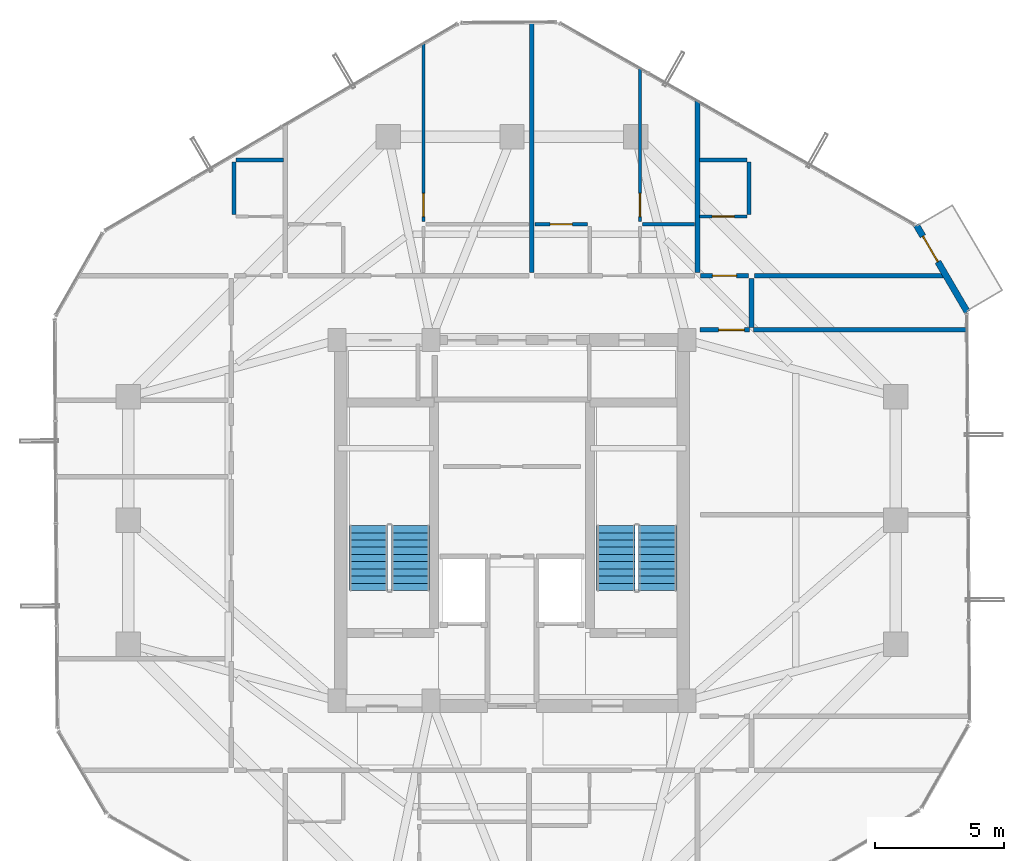
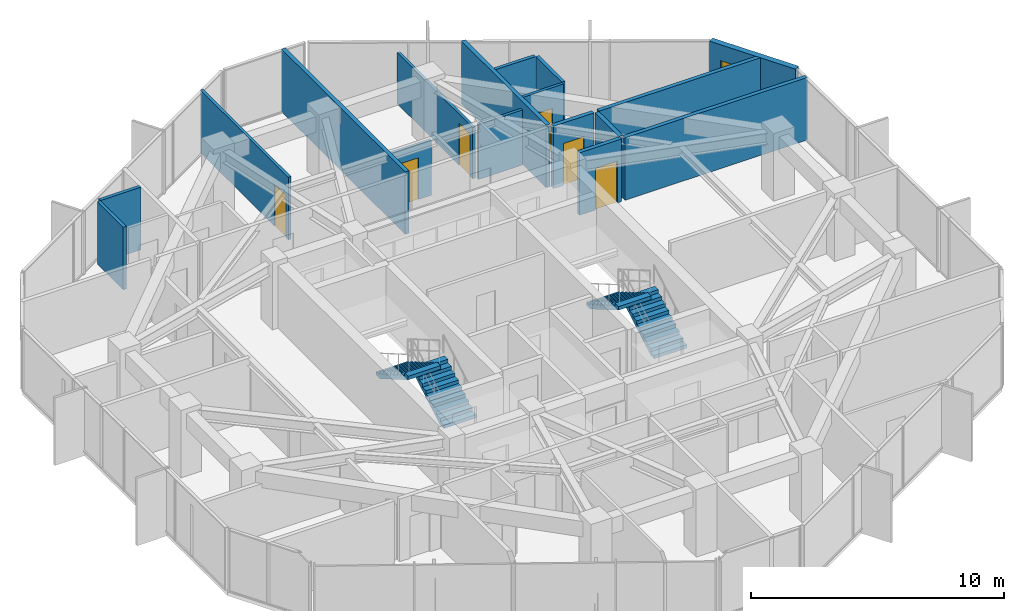
# One storey, part 29 of 31: 17 walls, 7 doors, 4 stair flights, 7 openings, 2 elements without a shape of their own.
"""IFC4 building model written with IfcOpenShell, lengths in metres."""

import ifcopenshell
import ifcopenshell.guid

model = None  # the IFC model being written
_history = None  # IfcOwnerHistory: only IFC2X3 demands one
_inside = {}  # id of a spatial element -> (the spatial element, [elements in it])
_under = {}  # id of a project, library or spatial element -> (it, [spatial elements below it])
_declared = {}  # id of a project -> (the project, [libraries it declares])
_typed = {}  # id of a type object -> (the type object, [elements of that type])
_made_of = {}  # id of a material, layer set ... -> (it, [elements and type objects made of it])


def new_model(schema):
    """Start an empty IFC model of exactly this schema.

    Asked for "IFC4X3", IfcOpenShell would pick the latest addendum, in which some entities
    have other attributes; the version numbers below select the first issue.
    IFC2X3 requires an IfcOwnerHistory on every rooted entity: one is made here for all.
    """
    global model, _history
    if schema == "IFC4X3":
        model = ifcopenshell.file(schema_version=(4, 3, 0, 0))
    else:
        model = ifcopenshell.file(schema=schema)
    _inside.clear()
    _under.clear()
    _declared.clear()
    _typed.clear()
    _made_of.clear()
    _history = None
    if model.schema == "IFC2X3":
        org = make("IfcOrganization", Name="unknown")
        user = make(
            "IfcPersonAndOrganization",
            ThePerson=make("IfcPerson", FamilyName="unknown"),
            TheOrganization=org,
        )
        app = make(
            "IfcApplication",
            ApplicationDeveloper=org,
            Version="unknown",
            ApplicationFullName="unknown",
            ApplicationIdentifier="unknown",
        )
        _history = make(
            "IfcOwnerHistory",
            OwningUser=user,
            OwningApplication=app,
            ChangeAction="ADDED",
            CreationDate=0,
        )
    return model


def make(cls, **values):
    """One entity of the class cls with the attributes given. An attribute that is None is left unset."""
    return model.create_entity(
        cls, **{name: value for name, value in values.items() if value is not None}
    )


def rooted(cls, **values):
    """An entity with a GlobalId (a new one), such as an element, a storey or a relation."""
    return make(cls, GlobalId=ifcopenshell.guid.new(), OwnerHistory=_history, **values)


def si_unit(unit_type, name, prefix=None):
    """IfcSIUnit, for example si_unit("LENGTHUNIT", "METRE", prefix="MILLI")."""
    return make("IfcSIUnit", UnitType=unit_type, Prefix=prefix, Name=name)


def assignment(units):
    """IfcUnitAssignment: the units of a project."""
    return None if units is None else make("IfcUnitAssignment", Units=units)


def point(xyz):
    """IfcCartesianPoint."""
    return None if xyz is None else make("IfcCartesianPoint", Coordinates=xyz)


def direction(xyz):
    """IfcDirection."""
    return None if xyz is None else make("IfcDirection", DirectionRatios=xyz)


def frame(location, z_axis=None, x_axis=None):
    """IfcAxis2Placement3D, a coordinate frame: its origin and axes. An axis left out is left unset."""
    return make(
        "IfcAxis2Placement3D",
        Location=point(location),
        Axis=direction(z_axis),
        RefDirection=direction(x_axis),
    )


def frame_2d(location, x_axis=None):
    """IfcAxis2Placement2D, a coordinate frame in the plane: its origin and x axis."""
    return make(
        "IfcAxis2Placement2D", Location=point(location), RefDirection=direction(x_axis)
    )


def origin():
    """The frame at (0, 0, 0) with its axes left unset."""
    return frame((0.0, 0.0, 0.0))


def place(relative_to, where):
    """IfcLocalPlacement: puts the frame where relative to a parent placement (None: the world)."""
    return make(
        "IfcLocalPlacement", PlacementRelTo=relative_to, RelativePlacement=where
    )


def context(
    kind, dimensions, precision=None, world=None, true_north=None, identifier=None
):
    """IfcGeometricRepresentationContext, for example the 3D "Model" context."""
    return make(
        "IfcGeometricRepresentationContext",
        ContextIdentifier=identifier,
        ContextType=kind,
        CoordinateSpaceDimension=dimensions,
        Precision=precision,
        WorldCoordinateSystem=world,
        TrueNorth=true_north,
    )


def subcontext(parent, identifier, kind, view, scale=None):
    """IfcGeometricRepresentationSubContext, for example "Body" below "Model"."""
    return make(
        "IfcGeometricRepresentationSubContext",
        ContextIdentifier=identifier,
        ContextType=kind,
        ParentContext=parent,
        TargetScale=scale,
        TargetView=view,
    )


def project(units=None, contexts=None):
    """IfcProject with its units and contexts."""
    return rooted(
        "IfcProject",
        Name="project",
        RepresentationContexts=contexts,
        UnitsInContext=assignment(units),
    )


def spatial(cls, under=None, at=None, **own):
    """A site, building, storey or space (cls), placed at a placement, below another one or the project."""
    s = rooted(cls, ObjectPlacement=at, **own)
    if under is not None:
        _under.setdefault(under.id(), (under, []))[1].append(s)
    return s


def polyline(points):
    """IfcPolyline through the points."""
    return make("IfcPolyline", Points=[point(p) for p in points])


def profile(cls, at=None, kind="AREA", **sizes):
    """A parametric profile (cls). Its sizes go by their IFC names, for example OverallWidth=200.0."""
    return make(cls, ProfileType=kind, Position=at, **sizes)


def rectangle(**sizes):
    """IfcRectangleProfileDef."""
    return profile("IfcRectangleProfileDef", **sizes)


def outline(outer, holes=None, kind="AREA"):
    """IfcArbitraryClosedProfileDef: a profile drawn as a closed curve; with holes, ...WithVoids."""
    if holes is None:
        return make("IfcArbitraryClosedProfileDef", ProfileType=kind, OuterCurve=outer)
    return make(
        "IfcArbitraryProfileDefWithVoids",
        ProfileType=kind,
        OuterCurve=outer,
        InnerCurves=holes,
    )


def extrude(swept, where, along, depth):
    """IfcExtrudedAreaSolid: the profile swept, set in the frame where, extruded along a direction by depth."""
    return make(
        "IfcExtrudedAreaSolid",
        SweptArea=swept,
        Position=where,
        ExtrudedDirection=direction(along),
        Depth=depth,
    )


def shape(context_of_items, identifier, shape_type, items):
    """IfcShapeRepresentation: the items that make up one representation, for example the "Body"."""
    return make(
        "IfcShapeRepresentation",
        ContextOfItems=context_of_items,
        RepresentationIdentifier=identifier,
        RepresentationType=shape_type,
        Items=items,
    )


def source(mapping_origin, context_of_items, identifier, shape_type, items):
    """IfcRepresentationMap: a shape defined once, which mapped items show again and again."""
    return make(
        "IfcRepresentationMap",
        MappingOrigin=mapping_origin,
        MappedRepresentation=shape(context_of_items, identifier, shape_type, items),
    )


def transform(
    local_origin,
    x_axis=None,
    y_axis=None,
    z_axis=None,
    scale=None,
    scale2=None,
    scale3=None,
    uniform=True,
):
    """IfcCartesianTransformationOperator3D, or its non-uniform kind. x_axis, y_axis, z_axis: its Axis1, 2, 3."""
    if uniform:
        return make(
            "IfcCartesianTransformationOperator3D",
            Axis1=direction(x_axis),
            Axis2=direction(y_axis),
            LocalOrigin=point(local_origin),
            Scale=scale,
            Axis3=direction(z_axis),
        )
    return make(
        "IfcCartesianTransformationOperator3DnonUniform",
        Axis1=direction(x_axis),
        Axis2=direction(y_axis),
        LocalOrigin=point(local_origin),
        Scale=scale,
        Axis3=direction(z_axis),
        Scale2=scale2,
        Scale3=scale3,
    )


def mapped(mapping_source, mapping_target):
    """IfcMappedItem: shows the shape of a source again, moved by a transform."""
    return make(
        "IfcMappedItem", MappingSource=mapping_source, MappingTarget=mapping_target
    )


def material(Name=None, Category=None):
    """IfcMaterial."""
    return make("IfcMaterial", Name=Name, Category=Category)


def layer(
    of_material, thickness, ventilated=None, Name=None, Category=None, Priority=None
):
    """IfcMaterialLayer: one layer of a wall or slab, of a material (None: an air gap)."""
    return make(
        "IfcMaterialLayer",
        Material=of_material,
        LayerThickness=thickness,
        IsVentilated=ventilated,
        Name=Name,
        Category=Category,
        Priority=Priority,
    )


def layer_set(layers, Name=None):
    """IfcMaterialLayerSet."""
    return make("IfcMaterialLayerSet", MaterialLayers=layers, LayerSetName=Name)


def made_of(thing, what):
    """Note that an element or type object is made of a material, layer set ...; save() writes the relation."""
    if what is not None:
        _made_of.setdefault(what.id(), (what, []))[1].append(thing)
    return thing


def type_object(cls, material=None, **own):
    """A type object (cls), such as IfcWallType, which elements share."""
    return made_of(rooted(cls, **own), material)


def element(
    cls,
    number,
    at=None,
    inside=None,
    cuts=None,
    type_object=None,
    material=None,
    context=None,
    identifier="Body",
    shape_type=None,
    held_by="IfcProductDefinitionShape",
    body=None,
    shapes=None,
    **own,
):
    """One element of the class cls, such as IfcWall. Its Tag is "e" and its number.

    at: its placement. inside: the storey or other place that contains it. cuts: it is an
    opening in that element (IfcRelVoidsElement). A single representation is given by context,
    identifier, shape_type and body (its items); several are given by shapes. held_by: the class
    of the entity that holds the representations. save() writes the other relations.
    """
    e = rooted(cls, Tag="e%d" % number, ObjectPlacement=at, **own)
    if body is not None:
        shapes = [shape(context, identifier, shape_type, body)]
    if shapes is not None:
        e.Representation = make(held_by, Representations=shapes)
    if inside is not None:
        _inside.setdefault(inside.id(), (inside, []))[1].append(e)
    if cuts is not None:
        rooted(
            "IfcRelVoidsElement", RelatingBuildingElement=cuts, RelatedOpeningElement=e
        )
    if type_object is not None:
        _typed.setdefault(type_object.id(), (type_object, []))[1].append(e)
    return made_of(e, material)


def fill(opening, filler):
    """IfcRelFillsElement: the door or window that sits in an opening."""
    return rooted(
        "IfcRelFillsElement",
        RelatingOpeningElement=opening,
        RelatedBuildingElement=filler,
    )


def aggregate(whole, parts):
    """IfcRelAggregates: a whole, such as a stair, and the parts it consists of."""
    return rooted("IfcRelAggregates", RelatingObject=whole, RelatedObjects=parts)


def save(model, path):
    """Write the relations noted so far, then the file.

    IfcRelAggregates (storeys below a building ...), IfcRelContainedInSpatialStructure (elements
    in a storey), IfcRelDefinesByType, IfcRelAssociatesMaterial and IfcRelDeclares: one each for
    every whole, place, type object, material and project.
    """
    for whole, parts in _under.values():
        aggregate(whole, parts)
    for where, things in _inside.values():
        rooted(
            "IfcRelContainedInSpatialStructure",
            RelatedElements=things,
            RelatingStructure=where,
        )
    for kind, things in _typed.values():
        rooted("IfcRelDefinesByType", RelatedObjects=things, RelatingType=kind)
    for what, things in _made_of.values():
        rooted("IfcRelAssociatesMaterial", RelatedObjects=things, RelatingMaterial=what)
    for by, libraries in _declared.values():
        rooted("IfcRelDeclares", RelatingContext=by, RelatedDefinitions=libraries)
    model.write(path)


model = new_model("IFC4")

# Units and contexts
model_context = context("Model", 3, precision=1e-05, world=origin(), true_north=direction((0.0, 1.0)))
body_context = subcontext(model_context, "Body", "Model", "MODEL_VIEW")
ifc_project = project(units=[si_unit("LENGTHUNIT", "METRE"), si_unit("AREAUNIT", "SQUARE_METRE"), si_unit("VOLUMEUNIT", "CUBIC_METRE"), si_unit("PLANEANGLEUNIT", "RADIAN"), si_unit("MASSUNIT", "GRAM", prefix="KILO")], contexts=[model_context])

# Site, building, storey
site_placement = place(None, origin())
site = spatial("IfcSite", under=ifc_project, at=site_placement, CompositionType="ELEMENT")
building_placement = place(site_placement, origin())
building = spatial("IfcBuilding", under=site, at=building_placement, Name="Veraguas Prism Commons", CompositionType="ELEMENT")
storey_placement = place(building_placement, frame((0.0, 0.0, 204.85009765625)))
storey = spatial("IfcBuildingStorey", under=building, at=storey_placement, Name="L58", CompositionType="ELEMENT", Elevation=204.85009765625)

# Walls
ifc_material_1 = material(Name="Autoclaved aerated masonry block 10 MPa", Category="masonry")
ifc_layer_1 = layer(ifc_material_1, 0.179931640625, Name="Corridor and Inter-Tenancy Partition 180", Category="masonry")
ifc_layer_set_1 = layer_set([ifc_layer_1], Name="Autoclaved aerated masonry block 10 MPa")
wall_type_1 = type_object("IfcWallType", Name="Corridor and Inter-Tenancy Partition 180", PredefinedType="PARTITIONING", material=ifc_layer_set_1)
wall_1_placement = place(storey_placement, frame((31.199951171875, 33.6201171875, 0.0), z_axis=(0.0, 0.0, 1.0), x_axis=(0.0, 1.0, 0.0)))
element("IfcWall", 1, at=wall_1_placement, inside=storey, type_object=wall_type_1, Name="WL-L58-PT014", PredefinedType="PARTITIONING", context=body_context, shape_type="SweptSolid", body=[
    extrude(rectangle(XDim=6.693359375, YDim=0.179931640625, at=frame_2d((3.3466796875, 0.0))), origin(), (0.0, 0.0, 1.0), 3.014892578125),
])
wall_2_placement = place(storey_placement, frame((24.77001953125, 33.6201171875, 0.0), z_axis=(0.0, 0.0, 1.0), x_axis=(0.0, 1.0, 0.0)))
element("IfcWall", 2, at=wall_2_placement, inside=storey, type_object=wall_type_1, Name="WL-L58-PT021", PredefinedType="PARTITIONING", context=body_context, shape_type="SweptSolid", body=[
    extrude(rectangle(XDim=9.758544921875, YDim=0.179931640625, at=frame_2d((4.87939453125, 0.0))), origin(), (0.0, 0.0, 1.0), 3.014892578125),
])
wall_3_placement = place(storey_placement, frame((33.300048828125, 31.5, 0.0), z_axis=(0.0, 0.0, 1.0), x_axis=(0.0, 1.0, 0.0)))
element("IfcWall", 3, at=wall_3_placement, inside=storey, type_object=wall_type_1, Name="WL-L58-PT039", PredefinedType="PARTITIONING", context=body_context, shape_type="SweptSolid", body=[
    extrude(rectangle(XDim=1.89990234375, YDim=0.179931640625, at=frame_2d((0.949951171875, 0.0))), origin(), (0.0, 0.0, 1.0), 3.014892578125),
])

# Wall, opening, door
wall_4_placement = place(storey_placement, frame((31.300048828125, 31.39990234375, 0.0), z_axis=(0.0, 0.0, 1.0), x_axis=(1.0, 0.0, 0.0)))
wall_4 = element("IfcWall", 4, at=wall_4_placement, inside=storey, type_object=wall_type_1, Name="WL-L58-PT042", PredefinedType="PARTITIONING", context=body_context, shape_type="SweptSolid", body=[
    extrude(rectangle(XDim=1.919921875, YDim=0.179931640625, at=frame_2d((0.9599609375, 0.0))), origin(), (0.0, 0.0, 1.0), 3.014892578125),
])
opening_1_placement = place(wall_4_placement, frame((0.719970703125, 0.0, 0.0)))
opening_1 = element("IfcOpeningElement", 5, at=opening_1_placement, cuts=wall_4, Name="Opening DR-13", PredefinedType="OPENING", context=body_context, shape_type="SweptSolid", body=[
    extrude(rectangle(XDim=1.0, YDim=2.010009765625, at=frame_2d((0.5, 1.0048828125))), frame((0.0, 0.099853515625, 0.0), z_axis=(0.0, -1.0, 0.0), x_axis=(1.0, 0.0, 0.0)), (0.0, 0.0, 1.0), 0.199951171875),
])
ifc_material_2 = material(Name="Steel fire-rated door assembly", Category="steel")
door_type_1 = type_object("IfcDoorType", Name="Core Accessible WC and Clinic Fire Door 1000x2010", OperationType="NOTDEFINED", PredefinedType="DOOR", material=ifc_material_2)
shared_shape_1 = source(origin(), body_context, "Body", "SweptSolid", [
    extrude(rectangle(XDim=1.0, YDim=2.010009765625, at=frame_2d((0.5, 1.0048828125))), frame((0.0, 0.02490234375, 0.0), z_axis=(0.0, -1.0, 0.0), x_axis=(1.0, 0.0, 0.0)), (0.0, 0.0, 1.0), 0.050048828125),
])
door_1_placement = place(opening_1_placement, origin())
door_1 = element("IfcDoor", 6, at=door_1_placement, inside=storey, type_object=door_type_1, Name="Study Salon Door L58", OperationType="SINGLE_SWING_LEFT", OverallHeight=2.010009765625, OverallWidth=1.0, PredefinedType="DOOR", context=body_context, shape_type="MappedRepresentation", body=[
    mapped(shared_shape_1, transform((0.0, 0.0, 0.0), scale=1.0)),
])
fill(opening_1, door_1)

# Walls
wall_5_placement = place(storey_placement, frame((33.3798828125, 31.39990234375, 0.0), z_axis=(0.0, 0.0, 1.0), x_axis=(1.0, 0.0, 0.0)))
element("IfcWall", 7, at=wall_5_placement, inside=storey, type_object=wall_type_1, Name="WL-L58-PT043", PredefinedType="PARTITIONING", context=body_context, shape_type="SweptSolid", body=[
    extrude(rectangle(XDim=8.3115234375, YDim=0.179931640625, at=frame_2d((4.15576171875, 0.0))), origin(), (0.0, 0.0, 1.0), 3.014892578125),
])
wall_6_placement = place(storey_placement, frame((33.419921875, 33.5, 0.0), z_axis=(0.0, 0.0, 1.0), x_axis=(1.0, 0.0, 0.0)))
element("IfcWall", 8, at=wall_6_placement, inside=storey, type_object=wall_type_1, Name="WL-L58-PT052", PredefinedType="PARTITIONING", context=body_context, shape_type="SweptSolid", body=[
    extrude(rectangle(XDim=7.467529296875, YDim=0.179931640625, at=frame_2d((3.73388671875, 0.0))), origin(), (0.0, 0.0, 1.0), 3.014892578125),
])

# Wall, opening, door
wall_7_placement = place(storey_placement, frame((31.320068359375, 33.5, 0.0), z_axis=(0.0, 0.0, 1.0), x_axis=(1.0, 0.0, 0.0)))
wall_7 = element("IfcWall", 9, at=wall_7_placement, inside=storey, type_object=wall_type_1, Name="WL-L58-PT053", PredefinedType="PARTITIONING", context=body_context, shape_type="SweptSolid", body=[
    extrude(rectangle(XDim=1.85986328125, YDim=0.179931640625, at=frame_2d((0.929931640625, 0.0))), origin(), (0.0, 0.0, 1.0), 3.014892578125),
])
opening_2_placement = place(wall_7_placement, frame((0.455078125, 0.0, 0.0)))
opening_2 = element("IfcOpeningElement", 10, at=opening_2_placement, cuts=wall_7, Name="Opening DR-01", PredefinedType="OPENING", context=body_context, shape_type="SweptSolid", body=[
    extrude(rectangle(XDim=0.949951171875, YDim=2.02001953125, at=frame_2d((0.47509765625, 1.010009765625))), frame((0.0, 0.099853515625, 0.0), z_axis=(0.0, -1.0, 0.0), x_axis=(1.0, 0.0, 0.0)), (0.0, 0.0, 1.0), 0.199951171875),
])
ifc_material_3 = material(Name="Anodised aluminium EN AW-6063 T6", Category="aluminium")
door_type_2 = type_object("IfcDoorType", Name="Apartment Entrance Fire Door 950x2020", OperationType="NOTDEFINED", PredefinedType="DOOR", material=ifc_material_3)
shared_shape_2 = source(origin(), body_context, "Body", "SweptSolid", [
    extrude(rectangle(XDim=0.949951171875, YDim=2.02001953125, at=frame_2d((0.47509765625, 1.010009765625))), frame((0.0, 0.02490234375, 0.0), z_axis=(0.0, -1.0, 0.0), x_axis=(1.0, 0.0, 0.0)), (0.0, 0.0, 1.0), 0.050048828125),
])
door_2_placement = place(opening_2_placement, origin())
door_2 = element("IfcDoor", 11, at=door_2_placement, inside=storey, type_object=door_type_2, Name="Studio 58F Entrance Door", OperationType="SINGLE_SWING_LEFT", OverallHeight=2.02001953125, OverallWidth=0.949951171875, PredefinedType="DOOR", context=body_context, shape_type="MappedRepresentation", body=[
    mapped(shared_shape_2, transform((0.0, 0.0, 0.0), scale=1.0)),
])
fill(opening_2, door_2)

ifc_material_4 = material(Name="Precast concrete C40/50", Category="concrete")
ifc_layer_2 = layer(ifc_material_4, 0.25, Name="External Loggia and Portal Wall 250", Category="concrete")
ifc_layer_set_2 = layer_set([ifc_layer_2], Name="Precast concrete C40/50")
wall_type_2 = type_object("IfcWallType", Name="External Loggia and Portal Wall 250", PredefinedType="SOLIDWALL", material=ifc_layer_set_2)
wall_8_placement = place(storey_placement, frame((41.677001953125, 32.093994140625, 0.0), z_axis=(0.0, 0.0, 1.0), x_axis=(-0.505746709818, 0.86268201877, 0.0)))
wall_8 = element("IfcWall", 12, at=wall_8_placement, inside=storey, type_object=wall_type_2, Name="Corner Loggia Wall L58-C1", PredefinedType="SOLIDWALL", context=body_context, shape_type="SweptSolid", body=[
    extrude(rectangle(XDim=3.91455078125, YDim=0.25, at=frame_2d((1.957275390625, 0.0))), origin(), (0.0, 0.0, 1.0), 3.014892578125),
])
opening_3_placement = place(wall_8_placement, frame((2.260009765625, 0.0, 0.0)))
opening_3 = element("IfcOpeningElement", 13, at=opening_3_placement, cuts=wall_8, Name="Opening DR-10", PredefinedType="OPENING", context=body_context, shape_type="SweptSolid", body=[
    extrude(rectangle(XDim=1.14990234375, YDim=2.25, at=frame_2d((0.574951171875, 1.125))), frame((0.0, 0.135009765625, 0.0), z_axis=(0.0, -1.0, 0.0), x_axis=(1.0, 0.0, 0.0)), (0.0, 0.0, 1.0), 0.27001953125),
])
door_type_3 = type_object("IfcDoorType", Name="Glazed Loggia and Terrace Door 1150x2250", OperationType="NOTDEFINED", PredefinedType="DOOR", material=ifc_material_3)
shared_shape_3 = source(origin(), body_context, "Body", "SweptSolid", [
    extrude(rectangle(XDim=1.14990234375, YDim=2.25, at=frame_2d((0.574951171875, 1.125))), frame((0.0, 0.02490234375, 0.0), z_axis=(0.0, -1.0, 0.0), x_axis=(1.0, 0.0, 0.0)), (0.0, 0.0, 1.0), 0.050048828125),
])
door_3_placement = place(opening_3_placement, frame((1.14990234375, 0.0, 0.0), z_axis=(0.0, 0.0, 1.0), x_axis=(-1.0, 0.0, 0.0)))
door_3 = element("IfcDoor", 14, at=door_3_placement, inside=storey, type_object=door_type_3, Name="Recessed Loggia Door L58-C1", OperationType="SINGLE_SWING_RIGHT", OverallHeight=2.25, OverallWidth=1.14990234375, PredefinedType="DOOR", context=body_context, shape_type="MappedRepresentation", body=[
    mapped(shared_shape_3, transform((0.0, 0.0, 0.0), scale=1.0)),
])
fill(opening_3, door_3)

ifc_material_5 = material(Name="Lightweight acoustic gypsum board")
ifc_layer_3 = layer(ifc_material_5, 0.125, Name="Internal Apartment Room Partition 125")
ifc_layer_set_3 = layer_set([ifc_layer_3], Name="Lightweight acoustic gypsum board")
wall_type_3 = type_object("IfcWallType", Name="Internal Apartment Room Partition 125", PredefinedType="PARTITIONING", material=ifc_layer_set_3)
wall_9_placement = place(storey_placement, frame((20.55908203125, 35.60009765625, 0.0), z_axis=(0.0, 0.0, 1.0), x_axis=(0.0, 1.0, 0.0)))
wall_9 = element("IfcWall", 15, at=wall_9_placement, inside=storey, type_object=wall_type_3, Name="WL-L58-PT020", PredefinedType="PARTITIONING", context=body_context, shape_type="SweptSolid", body=[
    extrude(rectangle(XDim=6.946533203125, YDim=0.125, at=frame_2d((3.47314453125, 0.0))), origin(), (0.0, 0.0, 1.0), 3.014892578125),
])
opening_4_placement = place(wall_9_placement, frame((0.199951171875, 0.0, 0.0)))
opening_4 = element("IfcOpeningElement", 16, at=opening_4_placement, cuts=wall_9, Name="Opening DR-02", PredefinedType="OPENING", context=body_context, shape_type="SweptSolid", body=[
    extrude(rectangle(XDim=0.89990234375, YDim=2.010009765625, at=frame_2d((0.449951171875, 1.0048828125))), frame((0.0, 0.072509765625, 0.0), z_axis=(0.0, -1.0, 0.0), x_axis=(1.0, 0.0, 0.0)), (0.0, 0.0, 1.0), 0.14501953125),
])
ifc_material_6 = material(Name="Timber solid core hardwood", Category="wood")
door_type_4 = type_object("IfcDoorType", Name="Internal Habitable Room Door 900x2010", OperationType="NOTDEFINED", PredefinedType="DOOR", material=ifc_material_6)
shared_shape_4 = source(origin(), body_context, "Body", "SweptSolid", [
    extrude(rectangle(XDim=0.89990234375, YDim=2.010009765625, at=frame_2d((0.449951171875, 1.0048828125))), frame((0.0, 0.02490234375, 0.0), z_axis=(0.0, -1.0, 0.0), x_axis=(1.0, 0.0, 0.0)), (0.0, 0.0, 1.0), 0.050048828125),
])
door_4_placement = place(opening_4_placement, origin())
door_4 = element("IfcDoor", 17, at=door_4_placement, inside=storey, type_object=door_type_4, Name="Flat 58C Bedroom 1 Door", OperationType="SINGLE_SWING_LEFT", OverallHeight=2.010009765625, OverallWidth=0.89990234375, PredefinedType="DOOR", context=body_context, shape_type="MappedRepresentation", body=[
    mapped(shared_shape_4, transform((0.0, 0.0, 0.0), scale=1.0)),
])
fill(opening_4, door_4)

wall_10_placement = place(storey_placement, frame((24.889892578125, 35.5, 0.0), z_axis=(0.0, 0.0, 1.0), x_axis=(1.0, 0.0, 0.0)))
wall_10 = element("IfcWall", 18, at=wall_10_placement, inside=storey, type_object=wall_type_3, Name="WL-L58-PT024", PredefinedType="PARTITIONING", context=body_context, shape_type="SweptSolid", body=[
    extrude(rectangle(XDim=2.050048828125, YDim=0.125, at=frame_2d((1.02490234375, 0.0))), origin(), (0.0, 0.0, 1.0), 2.661865234375),
])
opening_5_placement = place(wall_10_placement, frame((0.594970703125, 0.0, 0.0)))
opening_5 = element("IfcOpeningElement", 19, at=opening_5_placement, cuts=wall_10, Name="Opening DR-03", PredefinedType="OPENING", context=body_context, shape_type="SweptSolid", body=[
    extrude(rectangle(XDim=0.860107421875, YDim=2.010009765625, at=frame_2d((0.43017578125, 1.0048828125))), frame((0.0, 0.072509765625, 0.0), z_axis=(0.0, -1.0, 0.0), x_axis=(1.0, 0.0, 0.0)), (0.0, 0.0, 1.0), 0.14501953125),
])
ifc_material_7 = material(Name="Timber moisture-resistant leaf", Category="wood")
door_type_5 = type_object("IfcDoorType", Name="Internal Bathroom Door 860x2010", OperationType="NOTDEFINED", PredefinedType="DOOR", material=ifc_material_7)
shared_shape_5 = source(origin(), body_context, "Body", "SweptSolid", [
    extrude(rectangle(XDim=0.860107421875, YDim=2.010009765625, at=frame_2d((0.43017578125, 1.0048828125))), frame((0.0, 0.02490234375, 0.0), z_axis=(0.0, -1.0, 0.0), x_axis=(1.0, 0.0, 0.0)), (0.0, 0.0, 1.0), 0.050048828125),
])
door_5_placement = place(opening_5_placement, origin())
door_5 = element("IfcDoor", 20, at=door_5_placement, inside=storey, type_object=door_type_5, Name="Flat 58D Bathroom Door", OperationType="SINGLE_SWING_LEFT", OverallHeight=2.010009765625, OverallWidth=0.860107421875, PredefinedType="DOOR", context=body_context, shape_type="MappedRepresentation", body=[
    mapped(shared_shape_5, transform((0.0, 0.0, 0.0), scale=1.0)),
])
fill(opening_5, door_5)

# Wall
wall_11_placement = place(storey_placement, frame((29.070068359375, 35.5, 0.0), z_axis=(0.0, 0.0, 1.0), x_axis=(1.0, 0.0, 0.0)))
element("IfcWall", 21, at=wall_11_placement, inside=storey, type_object=wall_type_3, Name="WL-L58-PT026", PredefinedType="PARTITIONING", context=body_context, shape_type="SweptSolid", body=[
    extrude(rectangle(XDim=2.010009765625, YDim=0.125, at=frame_2d((1.0048828125, 0.0))), origin(), (0.0, 0.0, 1.0), 2.661865234375),
])

# Wall, opening, door
wall_12_placement = place(storey_placement, frame((28.969970703125, 35.60009765625, 0.0), z_axis=(0.0, 0.0, 1.0), x_axis=(0.0, 1.0, 0.0)))
wall_12 = element("IfcWall", 22, at=wall_12_placement, inside=storey, type_object=wall_type_3, Name="WL-L58-PT027", PredefinedType="PARTITIONING", context=body_context, shape_type="SweptSolid", body=[
    extrude(rectangle(XDim=5.981201171875, YDim=0.125, at=frame_2d((2.99072265625, 0.0))), origin(), (0.0, 0.0, 1.0), 2.468994140625),
])
opening_6_placement = place(wall_12_placement, frame((0.199951171875, 0.0, 0.0)))
opening_6 = element("IfcOpeningElement", 23, at=opening_6_placement, cuts=wall_12, Name="Opening DR-02", PredefinedType="OPENING", context=body_context, shape_type="SweptSolid", body=[
    extrude(rectangle(XDim=0.89990234375, YDim=2.010009765625, at=frame_2d((0.449951171875, 1.0048828125))), frame((0.0, 0.072509765625, 0.0), z_axis=(0.0, -1.0, 0.0), x_axis=(1.0, 0.0, 0.0)), (0.0, 0.0, 1.0), 0.14501953125),
])
door_6_placement = place(opening_6_placement, origin())
door_6 = element("IfcDoor", 24, at=door_6_placement, inside=storey, type_object=door_type_4, Name="Flat 58D Bedroom 1 Door", OperationType="SINGLE_SWING_LEFT", OverallHeight=2.010009765625, OverallWidth=0.89990234375, PredefinedType="DOOR", context=body_context, shape_type="MappedRepresentation", body=[
    mapped(shared_shape_4, transform((0.0, 0.0, 0.0), scale=1.0)),
])
fill(opening_6, door_6)

wall_13_placement = place(storey_placement, frame((31.280029296875, 35.800048828125, 0.0), z_axis=(0.0, 0.0, 1.0), x_axis=(1.0, 0.0, 0.0)))
wall_13 = element("IfcWall", 25, at=wall_13_placement, inside=storey, type_object=wall_type_3, Name="WL-L58-PT054", PredefinedType="PARTITIONING", context=body_context, shape_type="SweptSolid", body=[
    extrude(rectangle(XDim=1.840087890625, YDim=0.125, at=frame_2d((0.919921875, 0.0))), origin(), (0.0, 0.0, 1.0), 3.014892578125),
])
opening_7_placement = place(wall_13_placement, frame((0.489990234375, 0.0, 0.0)))
opening_7 = element("IfcOpeningElement", 26, at=opening_7_placement, cuts=wall_13, Name="Opening DR-03", PredefinedType="OPENING", context=body_context, shape_type="SweptSolid", body=[
    extrude(rectangle(XDim=0.860107421875, YDim=2.010009765625, at=frame_2d((0.43017578125, 1.0048828125))), frame((0.0, 0.072509765625, 0.0), z_axis=(0.0, -1.0, 0.0), x_axis=(1.0, 0.0, 0.0)), (0.0, 0.0, 1.0), 0.14501953125),
])
door_7_placement = place(opening_7_placement, origin())
door_7 = element("IfcDoor", 27, at=door_7_placement, inside=storey, type_object=door_type_5, Name="Studio 58F Bathroom Door", OperationType="SINGLE_SWING_RIGHT", OverallHeight=2.010009765625, OverallWidth=0.860107421875, PredefinedType="DOOR", context=body_context, shape_type="MappedRepresentation", body=[
    mapped(shared_shape_5, transform((0.0, 0.0, 0.0), scale=1.0)),
])
fill(opening_7, door_7)

# Walls
ifc_layer_4 = layer(ifc_material_5, 0.14990234375, Name="Wet Room and Clinic Acoustic Partition 150")
ifc_layer_set_4 = layer_set([ifc_layer_4], Name="Lightweight acoustic gypsum board")
wall_type_4 = type_object("IfcWallType", Name="Wet Room and Clinic Acoustic Partition 150", PredefinedType="PARTITIONING", material=ifc_layer_set_4)
wall_14_placement = place(storey_placement, frame((13.280029296875, 38.0, 0.0), z_axis=(0.0, 0.0, 1.0), x_axis=(1.0, 0.0, 0.0)))
element("IfcWall", 28, at=wall_14_placement, inside=storey, type_object=wall_type_4, Name="WL-L58-PT050", PredefinedType="PARTITIONING", context=body_context, shape_type="SweptSolid", body=[
    extrude(rectangle(XDim=1.840087890625, YDim=0.14990234375, at=frame_2d((0.919921875, 0.0))), origin(), (0.0, 0.0, 1.0), 3.014892578125),
])
wall_15_placement = place(storey_placement, frame((13.199951171875, 35.8798828125, 0.0), z_axis=(0.0, 0.0, 1.0), x_axis=(0.0, 1.0, 0.0)))
element("IfcWall", 29, at=wall_15_placement, inside=storey, type_object=wall_type_4, Name="WL-L58-PT051", PredefinedType="PARTITIONING", context=body_context, shape_type="SweptSolid", body=[
    extrude(rectangle(XDim=2.0400390625, YDim=0.14990234375, at=frame_2d((1.02001953125, 0.0))), origin(), (0.0, 0.0, 1.0), 3.014892578125),
])
wall_16_placement = place(storey_placement, frame((31.280029296875, 38.0, 0.0), z_axis=(0.0, 0.0, 1.0), x_axis=(1.0, 0.0, 0.0)))
element("IfcWall", 30, at=wall_16_placement, inside=storey, type_object=wall_type_4, Name="WL-L58-PT055", PredefinedType="PARTITIONING", context=body_context, shape_type="SweptSolid", body=[
    extrude(rectangle(XDim=1.840087890625, YDim=0.14990234375, at=frame_2d((0.919921875, 0.0))), origin(), (0.0, 0.0, 1.0), 3.014892578125),
])
wall_17_placement = place(storey_placement, frame((33.199951171875, 35.8798828125, 0.0), z_axis=(0.0, 0.0, 1.0), x_axis=(0.0, 1.0, 0.0)))
element("IfcWall", 31, at=wall_17_placement, inside=storey, type_object=wall_type_4, Name="WL-L58-PT056", PredefinedType="PARTITIONING", context=body_context, shape_type="SweptSolid", body=[
    extrude(rectangle(XDim=2.0400390625, YDim=0.14990234375, at=frame_2d((1.02001953125, 0.0))), origin(), (0.0, 0.0, 1.0), 3.014892578125),
])

# Stair, stair flights
ifc_material_8 = material(Name="Precast concrete C45/55", Category="concrete")
stair_type = type_object("IfcStairType", Name="Dogleg Core Stair 1480W 20R 05", PredefinedType="HALF_TURN_STAIR", material=ifc_material_8)
stair_1_placement = place(storey_placement, origin())
stair_1 = element("IfcStair", 32, at=stair_1_placement, inside=storey, type_object=stair_type, Name="Protected Exit Stair ST-01 L58", PredefinedType="HALF_TURN_STAIR")
stair_flight_type = type_object("IfcStairFlightType", Name="Precast Stair Flight 1480W 10R 05", PredefinedType="STRAIGHT", material=ifc_material_8)
stair_flight_1_placement = place(storey_placement, frame((20.06005859375, 21.280029296875, 0.0), z_axis=(0.0, 0.0, 1.0), x_axis=(0.0, 1.0, 0.0)))
stair_flight_1 = element("IfcStairFlight", 33, at=stair_flight_1_placement, type_object=stair_flight_type, Name="ST-05 Flight 1", NumberOfRisers=10, NumberOfTreads=9, PredefinedType="STRAIGHT", RiserHeight=0.1625, TreadLength=0.28, context=body_context, shape_type="SweptSolid", body=[
    extrude(outline(polyline([(0.0, 0.0), (0.0, 0.16259765625), (0.280029296875, 0.16259765625), (0.280029296875, 0.324951171875), (0.56005859375, 0.324951171875), (0.56005859375, 0.487548828125), (0.840087890625, 0.487548828125), (0.840087890625, 0.64990234375), (1.1201171875, 0.64990234375), (1.1201171875, 0.8125), (1.39990234375, 0.8125), (1.39990234375, 0.97509765625), (1.679931640625, 0.97509765625), (1.679931640625, 1.137451171875), (1.9599609375, 1.137451171875), (1.9599609375, 1.300048828125), (2.239990234375, 1.300048828125), (2.239990234375, 1.46240234375), (2.52001953125, 1.46240234375), (2.52001953125, 1.625), (2.52001953125, 1.2890625), (0.298583984375, 0.0), (0.0, 0.0)])), frame((0.0, 0.739990234375, 0.0), z_axis=(0.0, -1.0, 0.0), x_axis=(1.0, 0.0, 0.0)), (0.0, 0.0, 1.0), 1.47998046875),
])
stair_flight_2_placement = place(storey_placement, frame((18.429931640625, 23.800048828125, 1.625), z_axis=(0.0, 0.0, 1.0), x_axis=(0.0, -1.0, 0.0)))
stair_flight_2 = element("IfcStairFlight", 34, at=stair_flight_2_placement, type_object=stair_flight_type, Name="ST-05 Flight 2", NumberOfRisers=10, NumberOfTreads=9, PredefinedType="STRAIGHT", RiserHeight=0.1625, TreadLength=0.28, context=body_context, shape_type="SweptSolid", body=[
    extrude(outline(polyline([(0.0, 0.0), (0.0, 0.16259765625), (0.280029296875, 0.16259765625), (0.280029296875, 0.324951171875), (0.56005859375, 0.324951171875), (0.56005859375, 0.487548828125), (0.840087890625, 0.487548828125), (0.840087890625, 0.64990234375), (1.1201171875, 0.64990234375), (1.1201171875, 0.8125), (1.39990234375, 0.8125), (1.39990234375, 0.97509765625), (1.679931640625, 0.97509765625), (1.679931640625, 1.137451171875), (1.9599609375, 1.137451171875), (1.9599609375, 1.300048828125), (2.239990234375, 1.300048828125), (2.239990234375, 1.46240234375), (2.52001953125, 1.46240234375), (2.52001953125, 1.625), (2.52001953125, 1.2890625), (0.298583984375, 0.0), (0.0, 0.0)])), frame((0.0, 0.739990234375, 0.0), z_axis=(0.0, -1.0, 0.0), x_axis=(1.0, 0.0, 0.0)), (0.0, 0.0, 1.0), 1.47998046875),
])
aggregate(stair_1, [stair_flight_1, stair_flight_2])

stair_2_placement = place(storey_placement, origin())
stair_2 = element("IfcStair", 35, at=stair_2_placement, inside=storey, type_object=stair_type, Name="Protected Exit Stair ST-02 L58", PredefinedType="HALF_TURN_STAIR")
stair_flight_3_placement = place(storey_placement, frame((29.659912109375, 21.280029296875, 0.0), z_axis=(0.0, 0.0, 1.0), x_axis=(0.0, 1.0, 0.0)))
stair_flight_3 = element("IfcStairFlight", 36, at=stair_flight_3_placement, type_object=stair_flight_type, Name="ST-05 Flight 1", NumberOfRisers=10, NumberOfTreads=9, PredefinedType="STRAIGHT", RiserHeight=0.1625, TreadLength=0.28, context=body_context, shape_type="SweptSolid", body=[
    extrude(outline(polyline([(0.0, 0.0), (0.0, 0.16259765625), (0.280029296875, 0.16259765625), (0.280029296875, 0.324951171875), (0.56005859375, 0.324951171875), (0.56005859375, 0.487548828125), (0.840087890625, 0.487548828125), (0.840087890625, 0.64990234375), (1.1201171875, 0.64990234375), (1.1201171875, 0.8125), (1.39990234375, 0.8125), (1.39990234375, 0.97509765625), (1.679931640625, 0.97509765625), (1.679931640625, 1.137451171875), (1.9599609375, 1.137451171875), (1.9599609375, 1.300048828125), (2.239990234375, 1.300048828125), (2.239990234375, 1.46240234375), (2.52001953125, 1.46240234375), (2.52001953125, 1.625), (2.52001953125, 1.2890625), (0.298583984375, 0.0), (0.0, 0.0)])), frame((0.0, 0.739990234375, 0.0), z_axis=(0.0, -1.0, 0.0), x_axis=(1.0, 0.0, 0.0)), (0.0, 0.0, 1.0), 1.47998046875),
])
stair_flight_4_placement = place(storey_placement, frame((28.030029296875, 23.800048828125, 1.625), z_axis=(0.0, 0.0, 1.0), x_axis=(0.0, -1.0, 0.0)))
stair_flight_4 = element("IfcStairFlight", 37, at=stair_flight_4_placement, type_object=stair_flight_type, Name="ST-05 Flight 2", NumberOfRisers=10, NumberOfTreads=9, PredefinedType="STRAIGHT", RiserHeight=0.1625, TreadLength=0.28, context=body_context, shape_type="SweptSolid", body=[
    extrude(outline(polyline([(0.0, 0.0), (0.0, 0.16259765625), (0.280029296875, 0.16259765625), (0.280029296875, 0.324951171875), (0.56005859375, 0.324951171875), (0.56005859375, 0.487548828125), (0.840087890625, 0.487548828125), (0.840087890625, 0.64990234375), (1.1201171875, 0.64990234375), (1.1201171875, 0.8125), (1.39990234375, 0.8125), (1.39990234375, 0.97509765625), (1.679931640625, 0.97509765625), (1.679931640625, 1.137451171875), (1.9599609375, 1.137451171875), (1.9599609375, 1.300048828125), (2.239990234375, 1.300048828125), (2.239990234375, 1.46240234375), (2.52001953125, 1.46240234375), (2.52001953125, 1.625), (2.52001953125, 1.2890625), (0.298583984375, 0.0), (0.0, 0.0)])), frame((0.0, 0.739990234375, 0.0), z_axis=(0.0, -1.0, 0.0), x_axis=(1.0, 0.0, 0.0)), (0.0, 0.0, 1.0), 1.47998046875),
])
aggregate(stair_2, [stair_flight_3, stair_flight_4])

save(model, "model.ifc")
